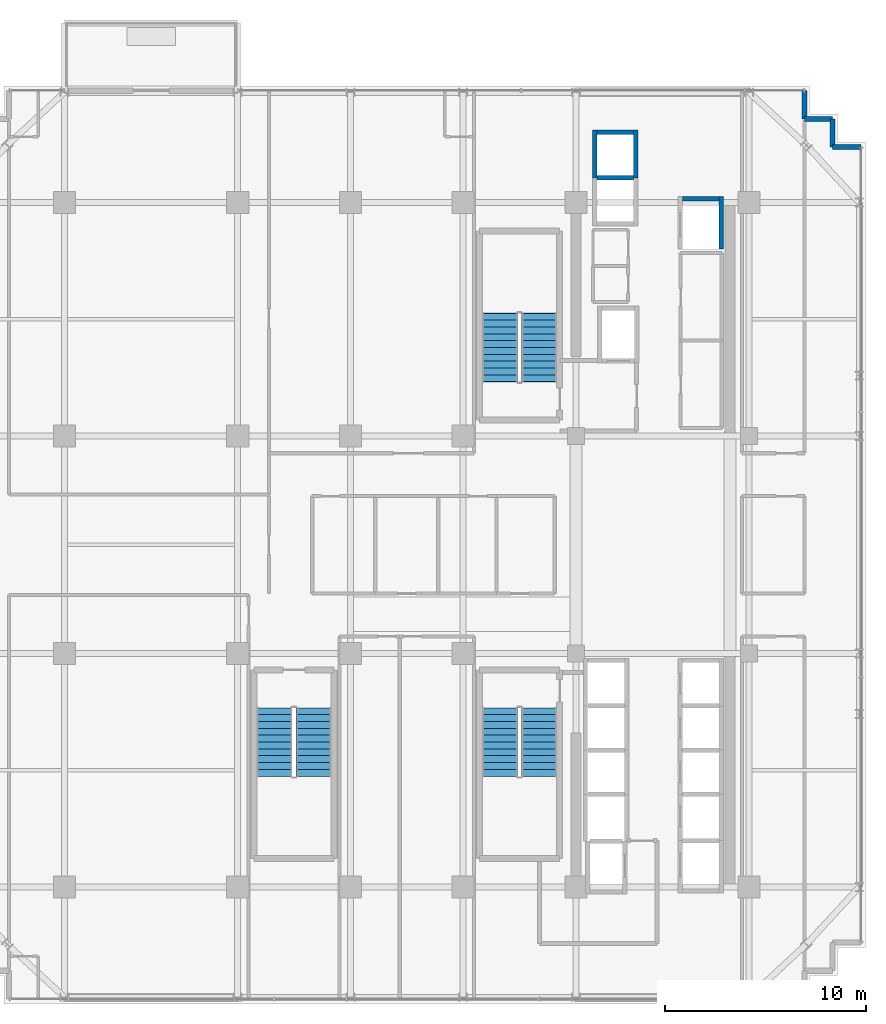
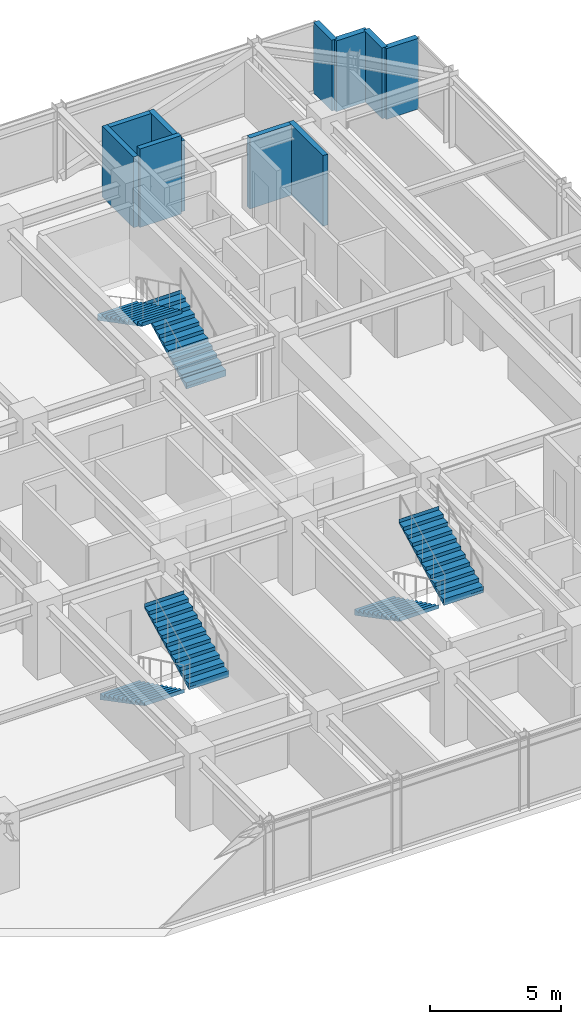
# One storey, part 29 of 32: 10 walls, 6 stair flights, 3 elements without a shape of their own.
"""IFC4 building model written with IfcOpenShell, lengths in metres."""

from ifc_helpers import new_model, si_unit, direction, frame, frame_2d, origin, place, context, subcontext, project, spatial, polyline, rectangle, outline, extrude, source, transform, mapped, material, layer, layer_set, type_object, element, aggregate, save


model = new_model("IFC4")

# Units and contexts
model_context = context("Model", 3, precision=1e-05, world=origin(), true_north=direction((0.0, 1.0)))
body_context = subcontext(model_context, "Body", "Model", "MODEL_VIEW")
ifc_project = project(units=[si_unit("LENGTHUNIT", "METRE"), si_unit("AREAUNIT", "SQUARE_METRE"), si_unit("VOLUMEUNIT", "CUBIC_METRE"), si_unit("PLANEANGLEUNIT", "RADIAN"), si_unit("MASSUNIT", "GRAM", prefix="KILO")], contexts=[model_context])

# Site, building, storey
site_placement = place(None, origin())
site = spatial("IfcSite", under=ifc_project, at=site_placement, CompositionType="ELEMENT")
building_placement = place(site_placement, origin())
building = spatial("IfcBuilding", under=site, at=building_placement, Name="Nahalor Promenade Grand Hotel", CompositionType="ELEMENT")
storey_placement = place(building_placement, frame((0.0, 0.0, 196.449951171875)))
storey = spatial("IfcBuildingStorey", under=building, at=storey_placement, Name="L50", CompositionType="ELEMENT", Elevation=196.449951171875)

# Walls
ifc_material_1 = material(Name="Concrete B-50 (C40/50)", Category="concrete")
ifc_layer_1 = layer(ifc_material_1, 0.219970703125)
ifc_layer_set_1 = layer_set([ifc_layer_1], Name="Concrete B-50 (C40/50)")
wall_type_1 = type_object("IfcWallType", Name="Wall-LiftShaft-220", PredefinedType="SHEAR", material=ifc_layer_set_1)
shared_shape_1 = source(origin(), body_context, "Body", "SweptSolid", [
    extrude(rectangle(XDim=1.820068359375, YDim=0.219970703125, at=frame_2d((0.91015625, 0.0))), origin(), (0.0, 0.0, 1.0), 3.650146484375),
])
wall_1_placement = place(storey_placement, frame((9.43994140625, 18.22509765625, 0.0), z_axis=(0.0, 0.0, 1.0), x_axis=(1.0, 0.0, 0.0)))
element("IfcWall", 1, at=wall_1_placement, inside=storey, type_object=wall_type_1, Name="L50 Lift OB1 Hoistway Wall N", PredefinedType="SHEAR", context=body_context, shape_type="MappedRepresentation", body=[
    mapped(shared_shape_1, transform((0.0, 0.0, 0.0), scale=1.0)),
])
shared_shape_2 = source(origin(), body_context, "Body", "SweptSolid", [
    extrude(rectangle(XDim=1.820068359375, YDim=0.219970703125, at=frame_2d((0.91015625, 0.0))), origin(), (0.0, 0.0, 1.0), 3.2900390625),
])
for number, where, z_axis, x_axis, name in (
    (2, (9.43994140625, 20.5, 0.0), (0.0, 0.0, 1.0), (1.0, 0.0, 0.0), "L50 Lift OB2 Hoistway Wall N"),
    (3, (13.68994140625, 17.199951171875, 0.0), (0.0, 0.0, 1.0), (1.0, 0.0, 0.0), "L50 Lift SV1 Hoistway Wall N"),
):
    element("IfcWall", number, at=place(storey_placement, frame(where, z_axis=z_axis, x_axis=x_axis)), inside=storey, type_object=wall_type_1, Name=name, PredefinedType="SHEAR", context=body_context, shape_type="MappedRepresentation", body=[
        mapped(shared_shape_2, transform((0.0, 0.0, 0.0), scale=1.0)),
    ])
shared_shape_3 = source(origin(), body_context, "Body", "SweptSolid", [
    extrude(rectangle(XDim=2.385009765625, YDim=0.219970703125, at=frame_2d((1.1923828125, 0.0))), origin(), (0.0, 0.0, 1.0), 3.2900390625),
])
for number, where, z_axis, x_axis, name in (
    (4, (9.330078125, 18.22509765625, 0.0), (0.0, 0.0, 1.0), (0.0, 1.0, 0.0), "L50 Lift OB2 Hoistway Wall W"),
    (5, (11.3701171875, 18.22509765625, 0.0), (0.0, 0.0, 1.0), (0.0, 1.0, 0.0), "L50 Lift OB2 Hoistway Wall E"),
):
    element("IfcWall", number, at=place(storey_placement, frame(where, z_axis=z_axis, x_axis=x_axis)), inside=storey, type_object=wall_type_1, Name=name, PredefinedType="SHEAR", context=body_context, shape_type="MappedRepresentation", body=[
        mapped(shared_shape_3, transform((0.0, 0.0, 0.0), scale=1.0)),
    ])
shared_shape_4 = source(origin(), body_context, "Body", "SweptSolid", [
    extrude(rectangle(XDim=2.610107421875, YDim=0.219970703125, at=frame_2d((1.30517578125, 0.0))), origin(), (0.0, 0.0, 1.0), 3.2900390625),
])
wall_2_placement = place(storey_placement, frame((15.6201171875, 14.699951171875, 0.0), z_axis=(0.0, 0.0, 1.0), x_axis=(0.0, 1.0, 0.0)))
element("IfcWall", 6, at=wall_2_placement, inside=storey, type_object=wall_type_1, Name="L50 Lift SV1 Hoistway Wall E", PredefinedType="SHEAR", context=body_context, shape_type="MappedRepresentation", body=[
    mapped(shared_shape_4, transform((0.0, 0.0, 0.0), scale=1.0)),
])
ifc_material_2 = material(Name="Concrete B-40 (C32/40)", Category="concrete")
ifc_layer_2 = layer(ifc_material_2, 0.25)
ifc_layer_set_2 = layer_set([ifc_layer_2], Name="Concrete B-40 (C32/40)")
wall_type_2 = type_object("IfcWallType", Name="Wall-BronzePier-250", PredefinedType="STANDARD", material=ifc_layer_set_2)
shared_shape_5 = source(origin(), body_context, "Body", "SweptSolid", [
    extrude(rectangle(XDim=1.400146484375, YDim=0.25, at=frame_2d((0.7001953125, 0.0))), origin(), (0.0, 0.0, 1.0), 3.2900390625),
])
for number, where, z_axis, x_axis, name in (
    (7, (21.159912109375, 19.760009765625, 0.0), (0.0, 0.0, 1.0), (1.0, 0.0, 0.0), "W-L50-SR-05"),
    (8, (19.760009765625, 21.159912109375, 0.0), (0.0, 0.0, 1.0), (0.0, 1.0, 0.0), "W-L50-SR-08"),
):
    element("IfcWall", number, at=place(storey_placement, frame(where, z_axis=z_axis, x_axis=x_axis)), inside=storey, type_object=wall_type_2, Name=name, PredefinedType="STANDARD", context=body_context, shape_type="MappedRepresentation", body=[
        mapped(shared_shape_5, transform((0.0, 0.0, 0.0), scale=1.0)),
    ])
shared_shape_6 = source(origin(), body_context, "Body", "SweptSolid", [
    extrude(rectangle(XDim=1.39990234375, YDim=0.25, at=frame_2d((0.699951171875, 0.0))), origin(), (0.0, 0.0, 1.0), 3.2900390625),
])
for number, where, z_axis, x_axis, name in (
    (9, (21.159912109375, 19.760009765625, 0.0), (0.0, 0.0, 1.0), (0.0, 1.0, 0.0), "W-L50-SR-06"),
    (10, (19.760009765625, 21.159912109375, 0.0), (0.0, 0.0, 1.0), (1.0, 0.0, 0.0), "W-L50-SR-07"),
):
    element("IfcWall", number, at=place(storey_placement, frame(where, z_axis=z_axis, x_axis=x_axis)), inside=storey, type_object=wall_type_2, Name=name, PredefinedType="STANDARD", context=body_context, shape_type="MappedRepresentation", body=[
        mapped(shared_shape_6, transform((0.0, 0.0, 0.0), scale=1.0)),
    ])

# Stair, stair flights
stair_type_1 = type_object("IfcStairType", Name="Stair-ST1", PredefinedType="HALF_TURN_STAIR", material=ifc_material_1)
stair_1_placement = place(storey_placement, origin())
stair_1 = element("IfcStair", 11, at=stair_1_placement, inside=storey, type_object=stair_type_1, Name="L50 ST1", PredefinedType="HALF_TURN_STAIR")
ifc_layer_3 = layer(ifc_material_1, 0.179931640625)
ifc_layer_set_3 = layer_set([ifc_layer_3], Name="Concrete B-50 (C40/50)")
stair_flight_type_1 = type_object("IfcStairFlightType", Name="Flight-ST1", PredefinedType="STRAIGHT", material=ifc_layer_set_3)
shared_shape_7 = source(origin(), body_context, "Body", "SweptSolid", [
    extrude(outline(polyline([(-0.00390625, -0.1201171875), (-0.00390625, 0.0), (0.0, 0.0), (0.0, 0.166015625), (0.340087890625, 0.166015625), (0.340087890625, 0.331787109375), (0.679931640625, 0.331787109375), (0.679931640625, 0.497802734375), (1.02001953125, 0.497802734375), (1.02001953125, 0.66357421875), (1.360107421875, 0.66357421875), (1.360107421875, 0.82958984375), (1.699951171875, 0.82958984375), (1.699951171875, 0.995361328125), (2.0400390625, 0.995361328125), (2.0400390625, 1.161376953125), (2.3798828125, 1.161376953125), (2.3798828125, 1.327392578125), (2.719970703125, 1.327392578125), (2.719970703125, 1.4931640625), (3.06005859375, 1.4931640625), (3.06005859375, 1.6591796875), (3.39990234375, 1.6591796875), (3.39990234375, 1.824951171875), (3.404052734375, 1.824951171875), (3.404052734375, 1.64501953125), (0.02001953125, -0.1201171875), (-0.00390625, -0.1201171875)])), frame((0.0, 0.875, 0.0), z_axis=(0.0, -1.0, 0.0), x_axis=(1.0, 0.0, 0.0)), (0.0, 0.0, 1.0), 1.75),
])
stair_flight_1_placement = place(storey_placement, frame((6.574951171875, 8.10009765625, 0.0), z_axis=(0.0, 0.0, 1.0), x_axis=(0.0, 1.0, 0.0)))
stair_flight_1 = element("IfcStairFlight", 12, at=stair_flight_1_placement, type_object=stair_flight_type_1, Name="ST1 flight 1", NumberOfRisers=11, NumberOfTreads=10, PredefinedType="STRAIGHT", RiserHeight=0.165909091, TreadLength=0.34, context=body_context, shape_type="MappedRepresentation", body=[
    mapped(shared_shape_7, transform((0.0, 0.0, 0.0), scale=1.0)),
])
stair_flight_2_placement = place(storey_placement, frame((4.625, 11.5, 1.824951171875), z_axis=(0.0, 0.0, 1.0), x_axis=(0.0, -1.0, 0.0)))
stair_flight_2 = element("IfcStairFlight", 13, at=stair_flight_2_placement, type_object=stair_flight_type_1, Name="ST1 flight 2", NumberOfRisers=11, NumberOfTreads=10, PredefinedType="STRAIGHT", RiserHeight=0.165909091, TreadLength=0.34, context=body_context, shape_type="MappedRepresentation", body=[
    mapped(shared_shape_7, transform((0.0, 0.0, 0.0), scale=1.0)),
])
aggregate(stair_1, [stair_flight_1, stair_flight_2])

stair_type_2 = type_object("IfcStairType", Name="Stair-ST2", PredefinedType="HALF_TURN_STAIR", material=ifc_material_1)
stair_2_placement = place(storey_placement, origin())
stair_2 = element("IfcStair", 14, at=stair_2_placement, inside=storey, type_object=stair_type_2, Name="L50 ST2", PredefinedType="HALF_TURN_STAIR")
ifc_layer_4 = layer(ifc_material_1, 0.18994140625)
ifc_layer_set_4 = layer_set([ifc_layer_4], Name="Concrete B-50 (C40/50)")
stair_flight_type_2 = type_object("IfcStairFlightType", Name="Flight-ST2", PredefinedType="STRAIGHT", material=ifc_layer_set_4)
shared_shape_8 = source(origin(), body_context, "Body", "SweptSolid", [
    extrude(outline(polyline([(-0.00390625, -0.1201171875), (-0.00390625, 0.0), (0.0, 0.0), (0.0, 0.166015625), (0.340087890625, 0.166015625), (0.340087890625, 0.331787109375), (0.679931640625, 0.331787109375), (0.679931640625, 0.497802734375), (1.02001953125, 0.497802734375), (1.02001953125, 0.66357421875), (1.360107421875, 0.66357421875), (1.360107421875, 0.82958984375), (1.699951171875, 0.82958984375), (1.699951171875, 0.995361328125), (2.0400390625, 0.995361328125), (2.0400390625, 1.161376953125), (2.3798828125, 1.161376953125), (2.3798828125, 1.327392578125), (2.719970703125, 1.327392578125), (2.719970703125, 1.4931640625), (3.06005859375, 1.4931640625), (3.06005859375, 1.6591796875), (3.39990234375, 1.6591796875), (3.39990234375, 1.824951171875), (3.404052734375, 1.824951171875), (3.404052734375, 1.64501953125), (0.02001953125, -0.1201171875), (-0.00390625, -0.1201171875)])), frame((0.0, 0.875, 0.0), z_axis=(0.0, -1.0, 0.0), x_axis=(1.0, 0.0, 0.0)), (0.0, 0.0, 1.0), 1.75),
])
stair_flight_3_placement = place(storey_placement, frame((4.625, -8.10009765625, 0.0), z_axis=(0.0, 0.0, 1.0), x_axis=(0.0, -1.0, 0.0)))
stair_flight_3 = element("IfcStairFlight", 15, at=stair_flight_3_placement, type_object=stair_flight_type_2, Name="ST2 flight 1", NumberOfRisers=11, NumberOfTreads=10, PredefinedType="STRAIGHT", RiserHeight=0.165909091, TreadLength=0.34, context=body_context, shape_type="MappedRepresentation", body=[
    mapped(shared_shape_8, transform((0.0, 0.0, 0.0), scale=1.0)),
])
stair_flight_4_placement = place(storey_placement, frame((6.574951171875, -11.5, 1.824951171875), z_axis=(0.0, 0.0, 1.0), x_axis=(0.0, 1.0, 0.0)))
stair_flight_4 = element("IfcStairFlight", 16, at=stair_flight_4_placement, type_object=stair_flight_type_2, Name="ST2 flight 2", NumberOfRisers=11, NumberOfTreads=10, PredefinedType="STRAIGHT", RiserHeight=0.165909091, TreadLength=0.34, context=body_context, shape_type="MappedRepresentation", body=[
    mapped(shared_shape_8, transform((0.0, 0.0, 0.0), scale=1.0)),
])
aggregate(stair_2, [stair_flight_3, stair_flight_4])

stair_type_3 = type_object("IfcStairType", Name="Stair-ST3", PredefinedType="HALF_TURN_STAIR", material=ifc_material_1)
stair_3_placement = place(storey_placement, origin())
stair_3 = element("IfcStair", 17, at=stair_3_placement, inside=storey, type_object=stair_type_3, Name="L50 ST3", PredefinedType="HALF_TURN_STAIR")
ifc_layer_5 = layer(ifc_material_1, 0.199951171875)
ifc_layer_set_5 = layer_set([ifc_layer_5], Name="Concrete B-50 (C40/50)")
stair_flight_type_3 = type_object("IfcStairFlightType", Name="Flight-ST3", PredefinedType="STRAIGHT", material=ifc_layer_set_5)
shared_shape_9 = source(origin(), body_context, "Body", "SweptSolid", [
    extrude(outline(polyline([(-0.00390625, -0.1201171875), (-0.00390625, 0.0), (0.0, 0.0), (0.0, 0.166015625), (0.340087890625, 0.166015625), (0.340087890625, 0.331787109375), (0.679931640625, 0.331787109375), (0.679931640625, 0.497802734375), (1.02001953125, 0.497802734375), (1.02001953125, 0.66357421875), (1.360107421875, 0.66357421875), (1.360107421875, 0.82958984375), (1.699951171875, 0.82958984375), (1.699951171875, 0.995361328125), (2.0400390625, 0.995361328125), (2.0400390625, 1.161376953125), (2.3798828125, 1.161376953125), (2.3798828125, 1.327392578125), (2.719970703125, 1.327392578125), (2.719970703125, 1.4931640625), (3.06005859375, 1.4931640625), (3.06005859375, 1.6591796875), (3.39990234375, 1.6591796875), (3.39990234375, 1.824951171875), (3.404052734375, 1.824951171875), (3.404052734375, 1.64501953125), (0.02001953125, -0.1201171875), (-0.00390625, -0.1201171875)])), frame((0.0, 0.875, 0.0), z_axis=(0.0, -1.0, 0.0), x_axis=(1.0, 0.0, 0.0)), (0.0, 0.0, 1.0), 1.75),
])
stair_flight_5_placement = place(storey_placement, frame((-6.574951171875, -8.10009765625, 0.0), z_axis=(0.0, 0.0, 1.0), x_axis=(0.0, -1.0, 0.0)))
stair_flight_5 = element("IfcStairFlight", 18, at=stair_flight_5_placement, type_object=stair_flight_type_3, Name="ST3 flight 1", NumberOfRisers=11, NumberOfTreads=10, PredefinedType="STRAIGHT", RiserHeight=0.165909091, TreadLength=0.34, context=body_context, shape_type="MappedRepresentation", body=[
    mapped(shared_shape_9, transform((0.0, 0.0, 0.0), scale=1.0)),
])
stair_flight_6_placement = place(storey_placement, frame((-4.625, -11.5, 1.824951171875), z_axis=(0.0, 0.0, 1.0), x_axis=(0.0, 1.0, 0.0)))
stair_flight_6 = element("IfcStairFlight", 19, at=stair_flight_6_placement, type_object=stair_flight_type_3, Name="ST3 flight 2", NumberOfRisers=11, NumberOfTreads=10, PredefinedType="STRAIGHT", RiserHeight=0.165909091, TreadLength=0.34, context=body_context, shape_type="MappedRepresentation", body=[
    mapped(shared_shape_9, transform((0.0, 0.0, 0.0), scale=1.0)),
])
aggregate(stair_3, [stair_flight_5, stair_flight_6])

save(model, "model.ifc")
